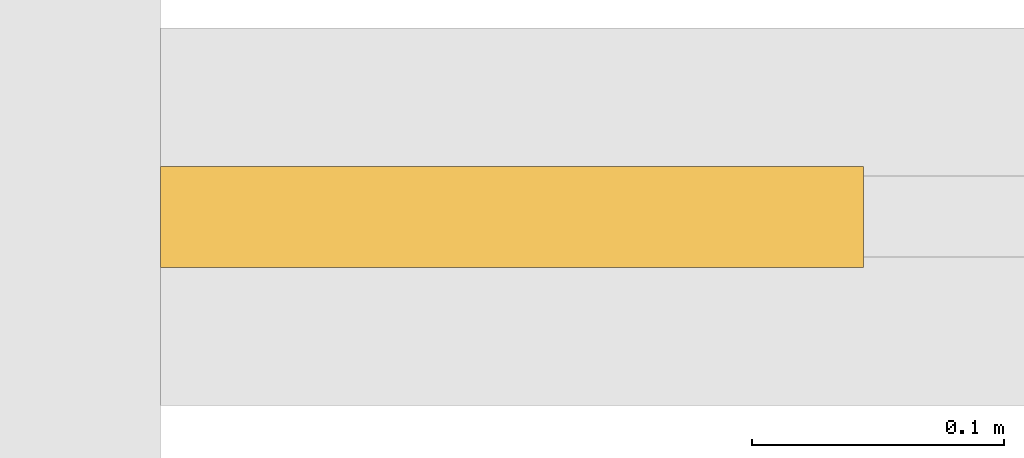
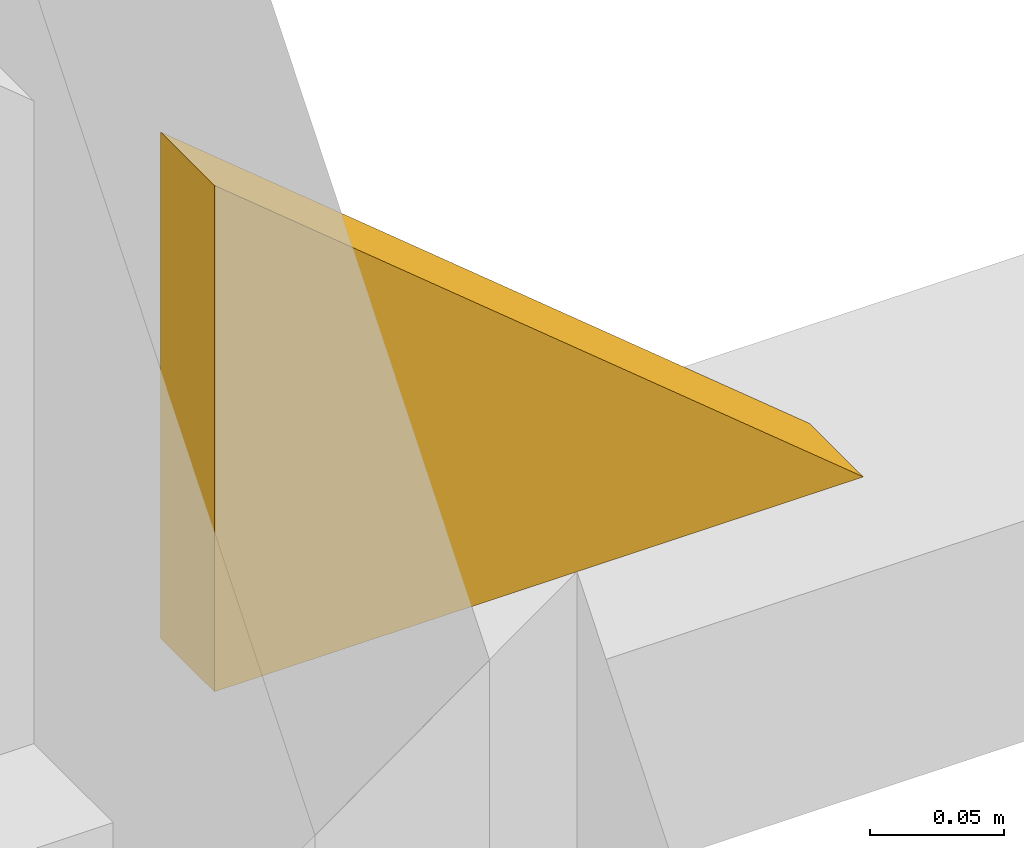
# One storey, part 17 of 18: 1 covering.
"""IFC4 building model written with IfcOpenShell, lengths in metres."""

from ifc_helpers import new_model, si_unit, direction, frame, origin, place, context, subcontext, project, spatial, polyline, outline, extrude, material, layer, layer_set, type_object, element, save


model = new_model("IFC4")

# Units and contexts
model_context = context("Model", 3, precision=1e-05, world=origin(), true_north=direction((0.0, 1.0)))
body_context = subcontext(model_context, "Body", "Model", "MODEL_VIEW")
ifc_project = project(units=[si_unit("LENGTHUNIT", "METRE"), si_unit("AREAUNIT", "SQUARE_METRE"), si_unit("VOLUMEUNIT", "CUBIC_METRE"), si_unit("PLANEANGLEUNIT", "RADIAN"), si_unit("MASSUNIT", "GRAM", prefix="KILO")], contexts=[model_context])

# Site, building, storey
site_placement = place(None, origin())
site = spatial("IfcSite", under=ifc_project, at=site_placement, CompositionType="ELEMENT")
building_placement = place(site_placement, origin())
building = spatial("IfcBuilding", under=site, at=building_placement, Name="Malebo Sky Hospital", CompositionType="ELEMENT")
storey_placement = place(building_placement, frame((0.0, 0.0, 132.0)))
storey = spatial("IfcBuildingStorey", under=building, at=storey_placement, Name="L31", CompositionType="ELEMENT", Elevation=132.0)

# Covering
ifc_material = material(Name="Anodised aluminium, natural silver insulated infill panel", Category="aluminium")
ifc_layer = layer(ifc_material, 0.0400390625)
ifc_layer_set = layer_set([ifc_layer], Name="BRACE INFILL PANEL 40")
covering_type = type_object("IfcCoveringType", Name="BRACE INFILL PANEL 40", PredefinedType="CLADDING", material=ifc_layer_set)
covering_placement = place(storey_placement, frame((43.376953125, 86.135009765625, 0.099853515625), z_axis=(0.0, 0.0, 1.0), x_axis=(1.0, 0.0, 0.0)))
element("IfcCovering", 1, at=covering_placement, inside=storey, type_object=covering_type, Name="Brace infill panel 2.1", PredefinedType="CLADDING", context=body_context, shape_type="SweptSolid", body=[
    extrude(outline(polyline([(-0.139404296875, 0.0), (0.139404296875, 0.0), (-0.139404296875, 0.22998046875), (-0.139404296875, 0.0)])), frame((0.0, 0.02001953125, 0.0), z_axis=(0.0, -1.0, 0.0), x_axis=(1.0, 0.0, 0.0)), (0.0, 0.0, 1.0), 0.0400390625),
])

save(model, "model.ifc")
